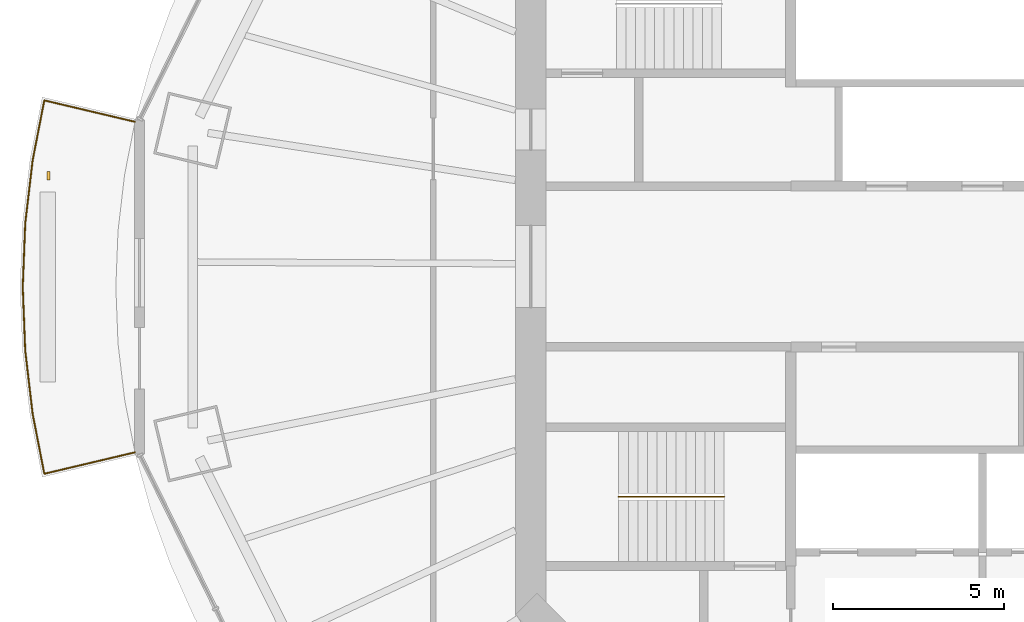
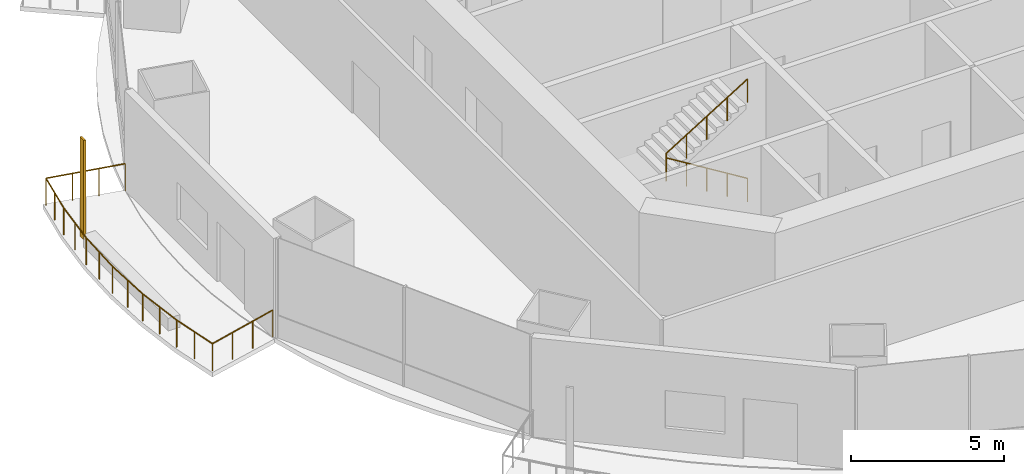
# One storey, part 15 of 19: 2 railings, 1 shading device.
"""IFC4 building model written with IfcOpenShell, lengths in metres."""

from ifc_helpers import new_model, si_unit, direction, frame, origin, origin_2d, place, context, subcontext, project, spatial, rectangle, circle, extrude, material, material_profile, profile_set, type_object, element, save


model = new_model("IFC4")

# Units and contexts
model_context = context("Model", 3, precision=1e-05, world=origin(), true_north=direction((0.0, 1.0)))
body_context = subcontext(model_context, "Body", "Model", "MODEL_VIEW")
ifc_project = project(units=[si_unit("LENGTHUNIT", "METRE"), si_unit("AREAUNIT", "SQUARE_METRE"), si_unit("VOLUMEUNIT", "CUBIC_METRE"), si_unit("PLANEANGLEUNIT", "RADIAN"), si_unit("MASSUNIT", "GRAM", prefix="KILO")], contexts=[model_context])

# Site, building, storey
site_placement = place(None, origin())
site = spatial("IfcSite", under=ifc_project, at=site_placement, CompositionType="ELEMENT")
building_placement = place(site_placement, origin())
building = spatial("IfcBuilding", under=site, at=building_placement, Name="Marenthal Gate Tower", CompositionType="ELEMENT")
storey_placement = place(building_placement, frame((0.0, 0.0, 248.199951171875)))
storey = spatial("IfcBuildingStorey", under=building, at=storey_placement, Name="L55", CompositionType="ELEMENT", Elevation=248.199951171875)

# Railings
ifc_material_1 = material(Name="Stainless steel", Category="steel")
railing_type_1 = type_object("IfcRailingType", Name="Balcony guard 1100", PredefinedType="GUARDRAIL", material=ifc_material_1)
railing_1_placement = place(storey_placement, frame((-27.56640625, -5.429443359375, 0.0)))
element("IfcRailing", 1, at=railing_1_placement, inside=storey, type_object=railing_type_1, Name="Balcony guard L55 bay 8", PredefinedType="GUARDRAIL", context=body_context, shape_type="SweptSolid", body=[
    extrude(circle(Radius=0.02392578125, at=origin_2d()), frame((0.0, 0.0, 1.076171875), z_axis=(-0.973072245699, -0.230029899071, -0.014719041532), x_axis=(0.23005482113, -0.97317767097, 0.0)), (0.0, 0.0, 1.0), 2.72021484375),
    extrude(circle(Radius=0.02392578125, at=origin_2d()), frame((-2.64697265625, -0.625732421875, 1.0361328125), z_axis=(-0.19100882276, 0.981588319831, 0.0), x_axis=(-0.981588319831, -0.19100882276, 0.0)), (0.0, 0.0, 1.0), 1.784423828125),
    extrude(circle(Radius=0.02392578125, at=origin_2d()), frame((-2.98779296875, 1.125732421875, 1.0361328125), z_axis=(-0.116437567729, 0.993198012896, 0.0), x_axis=(-0.993198012896, -0.116437567729, 0.0)), (0.0, 0.0, 1.0), 1.85986328125),
    extrude(circle(Radius=0.02392578125, at=origin_2d()), frame((-3.204345703125, 2.972900390625, 1.0361328125), z_axis=(-0.038897421074, 0.999243208951, 0.0), x_axis=(-0.999243208951, -0.038897421074, 0.0)), (0.0, 0.0, 1.0), 1.85791015625),
    extrude(circle(Radius=0.02392578125, at=origin_2d()), frame((-3.276611328125, 4.829345703125, 1.0361328125), z_axis=(0.038897421074, 0.999243208951, 0.0), x_axis=(-0.999243208951, 0.038897421074, 0.0)), (0.0, 0.0, 1.0), 1.85791015625),
    extrude(circle(Radius=0.02392578125, at=origin_2d()), frame((-3.204345703125, 6.685791015625, 1.0361328125), z_axis=(0.116422388761, 0.993199792285, 0.0), x_axis=(-0.993199792285, 0.116422388761, 0.0)), (0.0, 0.0, 1.0), 1.860107421875),
    extrude(circle(Radius=0.02392578125, at=origin_2d()), frame((-2.98779296875, 8.533203125, 1.0361328125), z_axis=(0.19100882276, 0.981588319831, 0.0), x_axis=(-0.981588319831, 0.19100882276, 0.0)), (0.0, 0.0, 1.0), 1.784423828125),
    extrude(circle(Radius=0.02392578125, at=origin_2d()), frame((-2.64697265625, 10.28466796875, 1.0361328125), z_axis=(0.973072245699, -0.230029899071, 0.014719041532), x_axis=(0.23005482113, 0.97317767097, 0.0)), (0.0, 0.0, 1.0), 2.72021484375),
    extrude(circle(Radius=0.02099609375, at=origin_2d()), origin(), (0.0, 0.0, 1.0), 1.052001953125),
    extrude(circle(Radius=0.02099609375, at=origin_2d()), frame((-0.88232421875, -0.20849609375, -0.013427734375)), (0.0, 0.0, 1.0), 1.052001953125),
    extrude(circle(Radius=0.02099609375, at=origin_2d()), frame((-1.7646484375, -0.417236328125, -0.026611328125)), (0.0, 0.0, 1.0), 1.052001953125),
    extrude(circle(Radius=0.02099609375, at=origin_2d()), frame((-2.64697265625, -0.625732421875, -0.0400390625)), (0.0, 0.0, 1.0), 1.052001953125),
    extrude(circle(Radius=0.02099609375, at=origin_2d()), frame((-2.8173828125, 0.25, -0.0400390625)), (0.0, 0.0, 1.0), 1.052001953125),
    extrude(circle(Radius=0.02099609375, at=origin_2d()), frame((-2.98779296875, 1.125732421875, -0.0400390625)), (0.0, 0.0, 1.0), 1.052001953125),
    extrude(circle(Radius=0.02099609375, at=origin_2d()), frame((-3.09619140625, 2.04931640625, -0.0400390625)), (0.0, 0.0, 1.0), 1.052001953125),
    extrude(circle(Radius=0.02099609375, at=origin_2d()), frame((-3.204345703125, 2.972900390625, -0.0400390625)), (0.0, 0.0, 1.0), 1.052001953125),
    extrude(circle(Radius=0.02099609375, at=origin_2d()), frame((-3.240478515625, 3.901123046875, -0.0400390625)), (0.0, 0.0, 1.0), 1.052001953125),
    extrude(circle(Radius=0.02099609375, at=origin_2d()), frame((-3.276611328125, 4.829345703125, -0.0400390625)), (0.0, 0.0, 1.0), 1.052001953125),
    extrude(circle(Radius=0.02099609375, at=origin_2d()), frame((-3.240478515625, 5.757568359375, -0.0400390625)), (0.0, 0.0, 1.0), 1.052001953125),
    extrude(circle(Radius=0.02099609375, at=origin_2d()), frame((-3.204345703125, 6.685791015625, -0.0400390625)), (0.0, 0.0, 1.0), 1.052001953125),
    extrude(circle(Radius=0.02099609375, at=origin_2d()), frame((-3.09619140625, 7.609375, -0.0400390625)), (0.0, 0.0, 1.0), 1.052001953125),
    extrude(circle(Radius=0.02099609375, at=origin_2d()), frame((-2.98779296875, 8.533203125, -0.0400390625)), (0.0, 0.0, 1.0), 1.052001953125),
    extrude(circle(Radius=0.02099609375, at=origin_2d()), frame((-2.8173828125, 9.408935546875, -0.0400390625)), (0.0, 0.0, 1.0), 1.052001953125),
    extrude(circle(Radius=0.02099609375, at=origin_2d()), frame((-2.64697265625, 10.28466796875, -0.0400390625)), (0.0, 0.0, 1.0), 1.052001953125),
    extrude(circle(Radius=0.02099609375, at=origin_2d()), frame((-1.7646484375, 10.076171875, -0.026611328125)), (0.0, 0.0, 1.0), 1.052001953125),
    extrude(circle(Radius=0.02099609375, at=origin_2d()), frame((-0.88232421875, 9.867431640625, -0.013427734375)), (0.0, 0.0, 1.0), 1.052001953125),
    extrude(circle(Radius=0.02099609375, at=origin_2d()), frame((0.0, 9.658935546875, 0.0)), (0.0, 0.0, 1.0), 1.052001953125),
])
ifc_material_2 = material(Name="Stainless steel", Category="steel")
railing_type_2 = type_object("IfcRailingType", Name="Stair handrail", PredefinedType="HANDRAIL", material=ifc_material_2)
railing_2_placement = place(storey_placement, frame((-10.35009765625, -6.72509765625, 0.1728515625)))
element("IfcRailing", 2, at=railing_2_placement, inside=storey, type_object=railing_type_2, Name="Handrail ST2", PredefinedType="HANDRAIL", context=body_context, shape_type="SweptSolid", body=[
    extrude(circle(Radius=0.0224609375, at=origin_2d()), frame((0.0, 0.0, 0.927490234375), z_axis=(-0.850816621229, 0.0, 0.525462726595), x_axis=(0.0, -1.0, 0.0)), (0.0, 0.0, 1.0), 3.619873046875),
    extrude(circle(Radius=0.0224609375, at=origin_2d()), frame((-3.079833984375, 0.0, 2.82958984375), z_axis=(0.0, 0.0, 1.0), x_axis=(1.0, 0.0, 0.0)), (0.0, 0.0, 1.0), 0.173095703125),
    extrude(circle(Radius=0.0224609375, at=origin_2d()), frame((-3.079833984375, 0.0, 3.002685546875), z_axis=(0.850816621229, 0.0, 0.525462726595), x_axis=(0.0, 1.0, 0.0)), (0.0, 0.0, 1.0), 3.619873046875),
    extrude(circle(Radius=0.02001953125, at=origin_2d()), origin(), (0.0, 0.0, 1.0), 0.905029296875),
    extrude(circle(Radius=0.02001953125, at=origin_2d()), frame((-0.77001953125, 0.0, 0.4755859375)), (0.0, 0.0, 1.0), 0.905029296875),
    extrude(circle(Radius=0.02001953125, at=origin_2d()), frame((-1.5400390625, 0.0, 0.951171875)), (0.0, 0.0, 1.0), 0.905029296875),
    extrude(circle(Radius=0.02001953125, at=origin_2d()), frame((-2.309814453125, 0.0, 1.426513671875)), (0.0, 0.0, 1.0), 0.905029296875),
    extrude(circle(Radius=0.02001953125, at=origin_2d()), frame((-3.079833984375, 0.0, 1.902099609375)), (0.0, 0.0, 1.0), 0.905029296875),
    extrude(circle(Radius=0.02001953125, at=origin_2d()), frame((-3.079833984375, 0.0, 2.0751953125)), (0.0, 0.0, 1.0), 0.905029296875),
    extrude(circle(Radius=0.02001953125, at=origin_2d()), frame((-2.309814453125, 0.0, 2.55078125)), (0.0, 0.0, 1.0), 0.905029296875),
    extrude(circle(Radius=0.02001953125, at=origin_2d()), frame((-1.5400390625, 0.0, 3.0263671875)), (0.0, 0.0, 1.0), 0.905029296875),
    extrude(circle(Radius=0.02001953125, at=origin_2d()), frame((-0.77001953125, 0.0, 3.501708984375)), (0.0, 0.0, 1.0), 0.905029296875),
    extrude(circle(Radius=0.02001953125, at=origin_2d()), frame((0.0, 0.0, 3.977294921875)), (0.0, 0.0, 1.0), 0.905029296875),
])

# Shading device
ifc_material_3 = material(Name="Terracotta", Category="masonry")
ifc_material_profile = material_profile(ifc_material_3, rectangle(XDim=0.25, YDim=0.080078125, at=origin_2d()), Name="Terracotta baguette 250x80")
ifc_profile_set = profile_set([ifc_material_profile], Name="Terracotta")
shading_device_type = type_object("IfcShadingDeviceType", Name="Terracotta BAGUETTE SCREEN 250x80", PredefinedType="USERDEFINED", material=ifc_profile_set)
shading_device_placement = place(storey_placement, frame((-30.091064453125, 2.652099609375, -0.0400390625), z_axis=(0.0, 0.0, 1.0), x_axis=(0.0, -1.0, 0.0)))
element("IfcShadingDevice", 3, at=shading_device_placement, inside=storey, type_object=shading_device_type, Name="Terracotta BAGUETTE L55 bay 8L", ObjectType="BAGUETTE SCREEN", PredefinedType="USERDEFINED", context=body_context, shape_type="SweptSolid", body=[
    extrude(rectangle(XDim=0.25, YDim=0.080078125, at=origin_2d()), origin(), (0.0, 0.0, 1.0), 3.969970703125),
])

save(model, "model.ifc")
